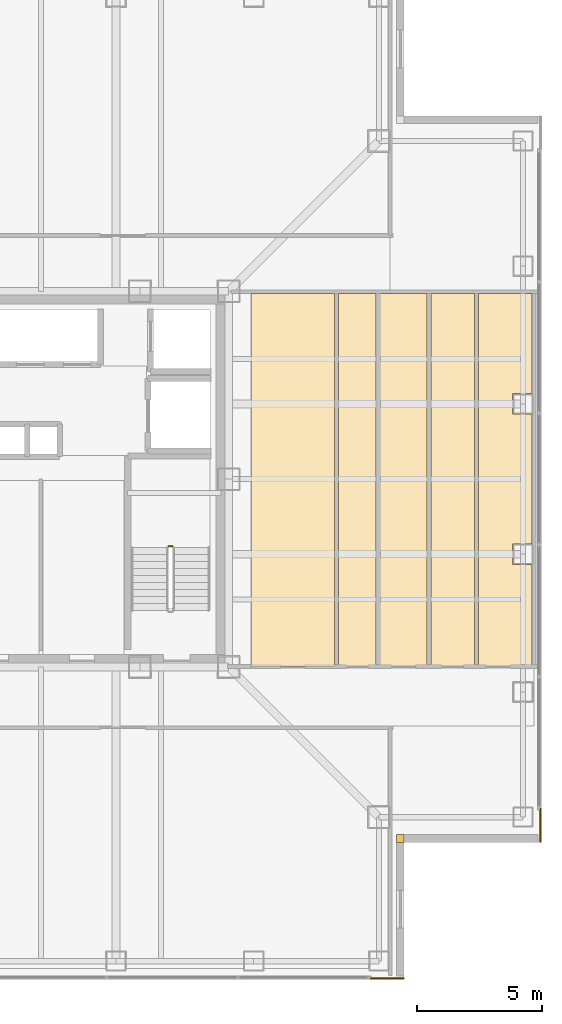
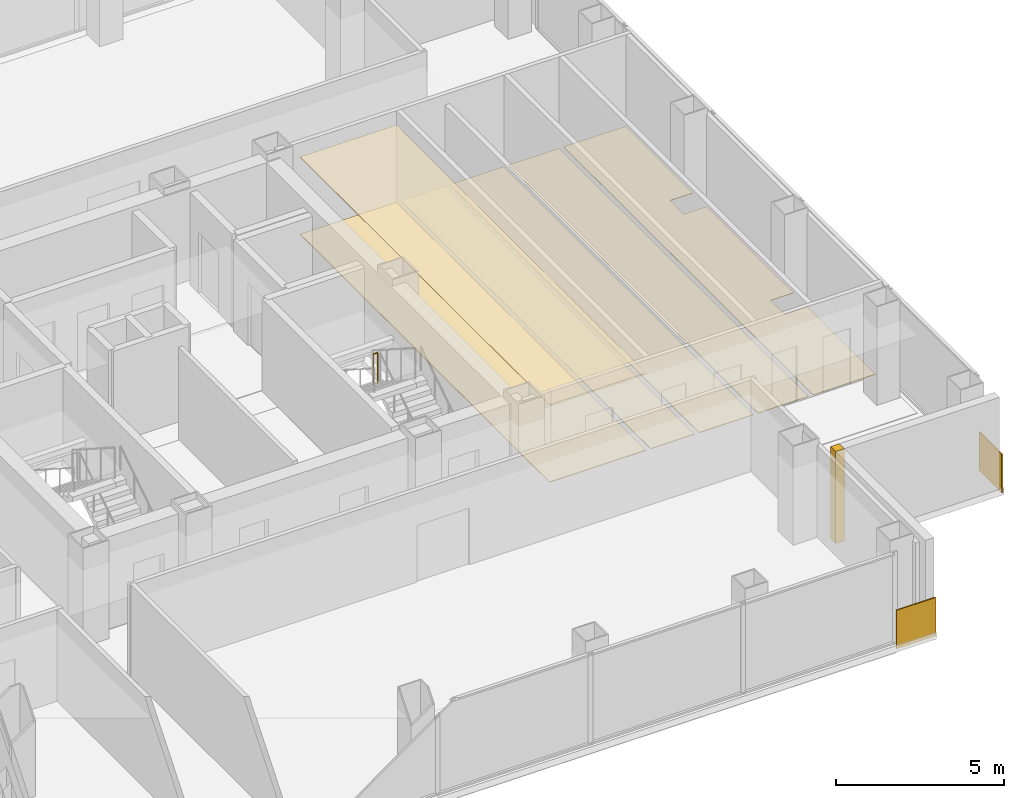
# One storey, part 16 of 17: 9 coverings, 1 railing.
"""IFC4 building model written with IfcOpenShell, lengths in metres."""

import ifcopenshell
import ifcopenshell.guid

model = None  # the IFC model being written
_history = None  # IfcOwnerHistory: only IFC2X3 demands one
_inside = {}  # id of a spatial element -> (the spatial element, [elements in it])
_under = {}  # id of a project, library or spatial element -> (it, [spatial elements below it])
_declared = {}  # id of a project -> (the project, [libraries it declares])
_typed = {}  # id of a type object -> (the type object, [elements of that type])
_made_of = {}  # id of a material, layer set ... -> (it, [elements and type objects made of it])


def new_model(schema):
    """Start an empty IFC model of exactly this schema.

    Asked for "IFC4X3", IfcOpenShell would pick the latest addendum, in which some entities
    have other attributes; the version numbers below select the first issue.
    IFC2X3 requires an IfcOwnerHistory on every rooted entity: one is made here for all.
    """
    global model, _history
    if schema == "IFC4X3":
        model = ifcopenshell.file(schema_version=(4, 3, 0, 0))
    else:
        model = ifcopenshell.file(schema=schema)
    _inside.clear()
    _under.clear()
    _declared.clear()
    _typed.clear()
    _made_of.clear()
    _history = None
    if model.schema == "IFC2X3":
        org = make("IfcOrganization", Name="unknown")
        user = make(
            "IfcPersonAndOrganization",
            ThePerson=make("IfcPerson", FamilyName="unknown"),
            TheOrganization=org,
        )
        app = make(
            "IfcApplication",
            ApplicationDeveloper=org,
            Version="unknown",
            ApplicationFullName="unknown",
            ApplicationIdentifier="unknown",
        )
        _history = make(
            "IfcOwnerHistory",
            OwningUser=user,
            OwningApplication=app,
            ChangeAction="ADDED",
            CreationDate=0,
        )
    return model


def make(cls, **values):
    """One entity of the class cls with the attributes given. An attribute that is None is left unset."""
    return model.create_entity(
        cls, **{name: value for name, value in values.items() if value is not None}
    )


def rooted(cls, **values):
    """An entity with a GlobalId (a new one), such as an element, a storey or a relation."""
    return make(cls, GlobalId=ifcopenshell.guid.new(), OwnerHistory=_history, **values)


def si_unit(unit_type, name, prefix=None):
    """IfcSIUnit, for example si_unit("LENGTHUNIT", "METRE", prefix="MILLI")."""
    return make("IfcSIUnit", UnitType=unit_type, Prefix=prefix, Name=name)


def assignment(units):
    """IfcUnitAssignment: the units of a project."""
    return None if units is None else make("IfcUnitAssignment", Units=units)


def point(xyz):
    """IfcCartesianPoint."""
    return None if xyz is None else make("IfcCartesianPoint", Coordinates=xyz)


def direction(xyz):
    """IfcDirection."""
    return None if xyz is None else make("IfcDirection", DirectionRatios=xyz)


def frame(location, z_axis=None, x_axis=None):
    """IfcAxis2Placement3D, a coordinate frame: its origin and axes. An axis left out is left unset."""
    return make(
        "IfcAxis2Placement3D",
        Location=point(location),
        Axis=direction(z_axis),
        RefDirection=direction(x_axis),
    )


def frame_2d(location, x_axis=None):
    """IfcAxis2Placement2D, a coordinate frame in the plane: its origin and x axis."""
    return make(
        "IfcAxis2Placement2D", Location=point(location), RefDirection=direction(x_axis)
    )


def origin():
    """The frame at (0, 0, 0) with its axes left unset."""
    return frame((0.0, 0.0, 0.0))


def origin_2d():
    """The frame at (0, 0) in the plane with its x axis left unset."""
    return frame_2d((0.0, 0.0))


def place(relative_to, where):
    """IfcLocalPlacement: puts the frame where relative to a parent placement (None: the world)."""
    return make(
        "IfcLocalPlacement", PlacementRelTo=relative_to, RelativePlacement=where
    )


def context(
    kind, dimensions, precision=None, world=None, true_north=None, identifier=None
):
    """IfcGeometricRepresentationContext, for example the 3D "Model" context."""
    return make(
        "IfcGeometricRepresentationContext",
        ContextIdentifier=identifier,
        ContextType=kind,
        CoordinateSpaceDimension=dimensions,
        Precision=precision,
        WorldCoordinateSystem=world,
        TrueNorth=true_north,
    )


def subcontext(parent, identifier, kind, view, scale=None):
    """IfcGeometricRepresentationSubContext, for example "Body" below "Model"."""
    return make(
        "IfcGeometricRepresentationSubContext",
        ContextIdentifier=identifier,
        ContextType=kind,
        ParentContext=parent,
        TargetScale=scale,
        TargetView=view,
    )


def project(units=None, contexts=None):
    """IfcProject with its units and contexts."""
    return rooted(
        "IfcProject",
        Name="project",
        RepresentationContexts=contexts,
        UnitsInContext=assignment(units),
    )


def spatial(cls, under=None, at=None, **own):
    """A site, building, storey or space (cls), placed at a placement, below another one or the project."""
    s = rooted(cls, ObjectPlacement=at, **own)
    if under is not None:
        _under.setdefault(under.id(), (under, []))[1].append(s)
    return s


def polyline(points):
    """IfcPolyline through the points."""
    return make("IfcPolyline", Points=[point(p) for p in points])


def profile(cls, at=None, kind="AREA", **sizes):
    """A parametric profile (cls). Its sizes go by their IFC names, for example OverallWidth=200.0."""
    return make(cls, ProfileType=kind, Position=at, **sizes)


def rectangle(**sizes):
    """IfcRectangleProfileDef."""
    return profile("IfcRectangleProfileDef", **sizes)


def circle(**sizes):
    """IfcCircleProfileDef."""
    return profile("IfcCircleProfileDef", **sizes)


def outline(outer, holes=None, kind="AREA"):
    """IfcArbitraryClosedProfileDef: a profile drawn as a closed curve; with holes, ...WithVoids."""
    if holes is None:
        return make("IfcArbitraryClosedProfileDef", ProfileType=kind, OuterCurve=outer)
    return make(
        "IfcArbitraryProfileDefWithVoids",
        ProfileType=kind,
        OuterCurve=outer,
        InnerCurves=holes,
    )


def extrude(swept, where, along, depth):
    """IfcExtrudedAreaSolid: the profile swept, set in the frame where, extruded along a direction by depth."""
    return make(
        "IfcExtrudedAreaSolid",
        SweptArea=swept,
        Position=where,
        ExtrudedDirection=direction(along),
        Depth=depth,
    )


def shape(context_of_items, identifier, shape_type, items):
    """IfcShapeRepresentation: the items that make up one representation, for example the "Body"."""
    return make(
        "IfcShapeRepresentation",
        ContextOfItems=context_of_items,
        RepresentationIdentifier=identifier,
        RepresentationType=shape_type,
        Items=items,
    )


def material(Name=None, Category=None):
    """IfcMaterial."""
    return make("IfcMaterial", Name=Name, Category=Category)


def layer(
    of_material, thickness, ventilated=None, Name=None, Category=None, Priority=None
):
    """IfcMaterialLayer: one layer of a wall or slab, of a material (None: an air gap)."""
    return make(
        "IfcMaterialLayer",
        Material=of_material,
        LayerThickness=thickness,
        IsVentilated=ventilated,
        Name=Name,
        Category=Category,
        Priority=Priority,
    )


def layer_set(layers, Name=None):
    """IfcMaterialLayerSet."""
    return make("IfcMaterialLayerSet", MaterialLayers=layers, LayerSetName=Name)


def made_of(thing, what):
    """Note that an element or type object is made of a material, layer set ...; save() writes the relation."""
    if what is not None:
        _made_of.setdefault(what.id(), (what, []))[1].append(thing)
    return thing


def type_object(cls, material=None, **own):
    """A type object (cls), such as IfcWallType, which elements share."""
    return made_of(rooted(cls, **own), material)


def element(
    cls,
    number,
    at=None,
    inside=None,
    cuts=None,
    type_object=None,
    material=None,
    context=None,
    identifier="Body",
    shape_type=None,
    held_by="IfcProductDefinitionShape",
    body=None,
    shapes=None,
    **own,
):
    """One element of the class cls, such as IfcWall. Its Tag is "e" and its number.

    at: its placement. inside: the storey or other place that contains it. cuts: it is an
    opening in that element (IfcRelVoidsElement). A single representation is given by context,
    identifier, shape_type and body (its items); several are given by shapes. held_by: the class
    of the entity that holds the representations. save() writes the other relations.
    """
    e = rooted(cls, Tag="e%d" % number, ObjectPlacement=at, **own)
    if body is not None:
        shapes = [shape(context, identifier, shape_type, body)]
    if shapes is not None:
        e.Representation = make(held_by, Representations=shapes)
    if inside is not None:
        _inside.setdefault(inside.id(), (inside, []))[1].append(e)
    if cuts is not None:
        rooted(
            "IfcRelVoidsElement", RelatingBuildingElement=cuts, RelatedOpeningElement=e
        )
    if type_object is not None:
        _typed.setdefault(type_object.id(), (type_object, []))[1].append(e)
    return made_of(e, material)


def aggregate(whole, parts):
    """IfcRelAggregates: a whole, such as a stair, and the parts it consists of."""
    return rooted("IfcRelAggregates", RelatingObject=whole, RelatedObjects=parts)


def save(model, path):
    """Write the relations noted so far, then the file.

    IfcRelAggregates (storeys below a building ...), IfcRelContainedInSpatialStructure (elements
    in a storey), IfcRelDefinesByType, IfcRelAssociatesMaterial and IfcRelDeclares: one each for
    every whole, place, type object, material and project.
    """
    for whole, parts in _under.values():
        aggregate(whole, parts)
    for where, things in _inside.values():
        rooted(
            "IfcRelContainedInSpatialStructure",
            RelatedElements=things,
            RelatingStructure=where,
        )
    for kind, things in _typed.values():
        rooted("IfcRelDefinesByType", RelatedObjects=things, RelatingType=kind)
    for what, things in _made_of.values():
        rooted("IfcRelAssociatesMaterial", RelatedObjects=things, RelatingMaterial=what)
    for by, libraries in _declared.values():
        rooted("IfcRelDeclares", RelatingContext=by, RelatedDefinitions=libraries)
    model.write(path)


model = new_model("IFC4")

# Units and contexts
model_context = context("Model", 3, precision=1e-05, world=origin(), true_north=direction((0.0, 1.0)))
body_context = subcontext(model_context, "Body", "Model", "MODEL_VIEW")
ifc_project = project(units=[si_unit("LENGTHUNIT", "METRE"), si_unit("AREAUNIT", "SQUARE_METRE"), si_unit("VOLUMEUNIT", "CUBIC_METRE"), si_unit("PLANEANGLEUNIT", "RADIAN"), si_unit("MASSUNIT", "GRAM", prefix="KILO")], contexts=[model_context])

# Site, building, storey
site_placement = place(None, origin())
site = spatial("IfcSite", under=ifc_project, at=site_placement, CompositionType="ELEMENT")
building_placement = place(site_placement, origin())
building = spatial("IfcBuilding", under=site, at=building_placement, Name="Trevonay Congress Spire", CompositionType="ELEMENT")
storey_placement = place(building_placement, frame((0.0, 0.0, 209.39990234375)))
storey = spatial("IfcBuildingStorey", under=building, at=storey_placement, Name="L54", CompositionType="ELEMENT", Elevation=209.39990234375)

# Coverings
ifc_material_1 = material(Name="Acoustic Mineral Fibre Board", Category="gypsum")
ifc_layer_1 = layer(ifc_material_1, 0.02490234375, Name="Acoustic Mineral Fibre Board")
ifc_layer_set_1 = layer_set([ifc_layer_1], Name="Acoustic Mineral Fibre Board")
covering_type_1 = type_object("IfcCoveringType", Name="COV-CEIL-ACOUSTIC", PredefinedType="CEILING", material=ifc_layer_set_1)
covering_1_placement = place(storey_placement, frame((0.0, 0.0, 2.81005859375)))
element("IfcCovering", 1, at=covering_1_placement, inside=storey, type_object=covering_type_1, Name="L54 Juice Bar Kitchenette acoustic suspended ceiling", PredefinedType="CEILING", context=body_context, shape_type="SweptSolid", body=[
    extrude(outline(polyline([(8.39990234375, -7.47998046875), (11.719970703125, -7.47998046875), (11.719970703125, 7.419921875), (8.39990234375, 7.419921875), (8.39990234375, -7.47998046875)])), origin(), (0.0, 0.0, 1.0), 0.025146484375),
])
ifc_material_2 = material(Name="Polished Granite Floor Tile", Category="masonry")
ifc_layer_2 = layer(ifc_material_2, 0.02001953125, Name="Polished Granite Floor Tile")
ifc_layer_set_2 = layer_set([ifc_layer_2], Name="Polished Granite Floor Tile")
covering_type_2 = type_object("IfcCoveringType", Name="COV-FLOOR-STONE", PredefinedType="FLOORING", material=ifc_layer_set_2)
covering_2_placement = place(storey_placement, origin())
element("IfcCovering", 2, at=covering_2_placement, inside=storey, type_object=covering_type_2, Name="L54 Juice Bar Kitchenette floor finish", PredefinedType="FLOORING", context=body_context, shape_type="SweptSolid", body=[
    extrude(outline(polyline([(8.39990234375, -7.47998046875), (11.719970703125, -7.47998046875), (11.719970703125, 7.419921875), (8.39990234375, 7.419921875), (8.39990234375, -7.47998046875)])), origin(), (0.0, 0.0, 1.0), 0.02001953125),
])
covering_3_placement = place(storey_placement, origin())
element("IfcCovering", 3, at=covering_3_placement, inside=storey, type_object=covering_type_2, Name="L54 Female Restroom WC floor finish", PredefinedType="FLOORING", context=body_context, shape_type="SweptSolid", body=[
    extrude(outline(polyline([(11.8798828125, -7.47998046875), (13.389892578125, -7.47998046875), (13.389892578125, 7.419921875), (11.8798828125, 7.419921875), (11.8798828125, -7.47998046875)])), origin(), (0.0, 0.0, 1.0), 0.02001953125),
])
covering_4_placement = place(storey_placement, origin())
element("IfcCovering", 4, at=covering_4_placement, inside=storey, type_object=covering_type_2, Name="L54 Floor Supplies and Copy Room floor finish", PredefinedType="FLOORING", context=body_context, shape_type="SweptSolid", body=[
    extrude(outline(polyline([(13.550048828125, -7.47998046875), (15.419921875, -7.47998046875), (15.419921875, 7.419921875), (13.550048828125, 7.419921875), (13.550048828125, -7.47998046875)])), origin(), (0.0, 0.0, 1.0), 0.02001953125),
])
covering_5_placement = place(storey_placement, origin())
element("IfcCovering", 5, at=covering_5_placement, inside=storey, type_object=covering_type_2, Name="L54 Male Restroom WC floor finish", PredefinedType="FLOORING", context=body_context, shape_type="SweptSolid", body=[
    extrude(outline(polyline([(15.580078125, -7.47998046875), (17.320068359375, -7.47998046875), (17.320068359375, 7.419921875), (15.580078125, 7.419921875), (15.580078125, -7.47998046875)])), origin(), (0.0, 0.0, 1.0), 0.02001953125),
])
covering_6_placement = place(storey_placement, origin())
element("IfcCovering", 6, at=covering_6_placement, inside=storey, type_object=covering_type_2, Name="L54 Floor Supplies and Copy Room floor finish", PredefinedType="FLOORING", context=body_context, shape_type="SweptSolid", body=[
    extrude(outline(polyline([(19.6201171875, -7.47998046875), (17.47998046875, -7.47998046875), (17.47998046875, 7.419921875), (19.6201171875, 7.419921875), (19.6201171875, 3.409912109375), (18.840087890625, 3.409912109375), (18.840087890625, 2.590087890625), (19.6201171875, 2.590087890625), (19.6201171875, -2.590087890625), (18.840087890625, -2.590087890625), (18.840087890625, -3.409912109375), (19.6201171875, -3.409912109375), (19.6201171875, -7.47998046875)])), origin(), (0.0, 0.0, 1.0), 0.02001953125),
])
ifc_material_3 = material(Name="Pale Anodised Aluminium EN AW-6063-T6", Category="aluminium")
ifc_layer_3 = layer(ifc_material_3, 0.0400390625, Name="Pale Anodised Aluminium EN AW-6063-T6")
ifc_layer_set_3 = layer_set([ifc_layer_3], Name="Pale Anodised Aluminium EN AW-6063-T6")
covering_type_3 = type_object("IfcCoveringType", Name="COV-SPANDREL-PALE-METAL", PredefinedType="CLADDING", material=ifc_layer_set_3)
covering_7_placement = place(storey_placement, origin())
element("IfcCovering", 7, at=covering_7_placement, inside=storey, type_object=covering_type_3, Name="L54 SE re-entrant notch corner closure trim", PredefinedType="CLADDING", context=body_context, shape_type="SweptSolid", body=[
    extrude(outline(polyline([(14.199951171875, -14.5), (14.5, -14.5), (14.5, -14.199951171875), (14.199951171875, -14.199951171875), (14.199951171875, -14.5)])), origin(), (0.0, 0.0, 1.0), 3.360107421875),
])
for number, where, z_axis, x_axis, name in (
    (8, (19.93994140625, -13.14990234375, -0.14990234375), (0.0, 0.0, 1.0), (0.0, -1.0, 0.0), "L54 SE corner pier spandrel cladding 1"),
    (9, (13.14990234375, -19.93994140625, -0.14990234375), (0.0, 0.0, 1.0), (1.0, 0.0, 0.0), "L54 SE corner pier spandrel cladding 2"),
):
    element("IfcCovering", number, at=place(storey_placement, frame(where, z_axis=z_axis, x_axis=x_axis)), inside=storey, type_object=covering_type_3, Name=name, PredefinedType="CLADDING", context=body_context, shape_type="SweptSolid", body=[
        extrude(rectangle(XDim=1.35009765625, YDim=0.0400390625, at=frame_2d((0.675048828125, 0.0))), origin(), (0.0, 0.0, 1.0), 1.39990234375),
    ])

# Railing
railing_type = type_object("IfcRailingType", Name="RAL-STAIR-GUARD-110", PredefinedType="GUARDRAIL", material=ifc_material_3)
railing_placement = place(storey_placement, frame((5.25, -2.679931640625, 1.800048828125)))
element("IfcRailing", 10, at=railing_placement, inside=storey, type_object=railing_type, Name="L54 ST-2 stair guard 2", PredefinedType="GUARDRAIL", context=body_context, shape_type="SweptSolid", body=[
    extrude(circle(Radius=0.02392578125, at=origin_2d()), frame((0.0, 0.0, 1.1259765625), z_axis=(-1.0, 0.0, 0.0), x_axis=(0.0, -1.0, 0.0)), (0.0, 0.0, 1.0), 0.14990234375),
    extrude(circle(Radius=0.02099609375, at=origin_2d()), origin(), (0.0, 0.0, 1.0), 1.101806640625),
    extrude(circle(Radius=0.02099609375, at=origin_2d()), frame((-0.14990234375, 0.0, 0.0)), (0.0, 0.0, 1.0), 1.101806640625),
])

save(model, "model.ifc")
